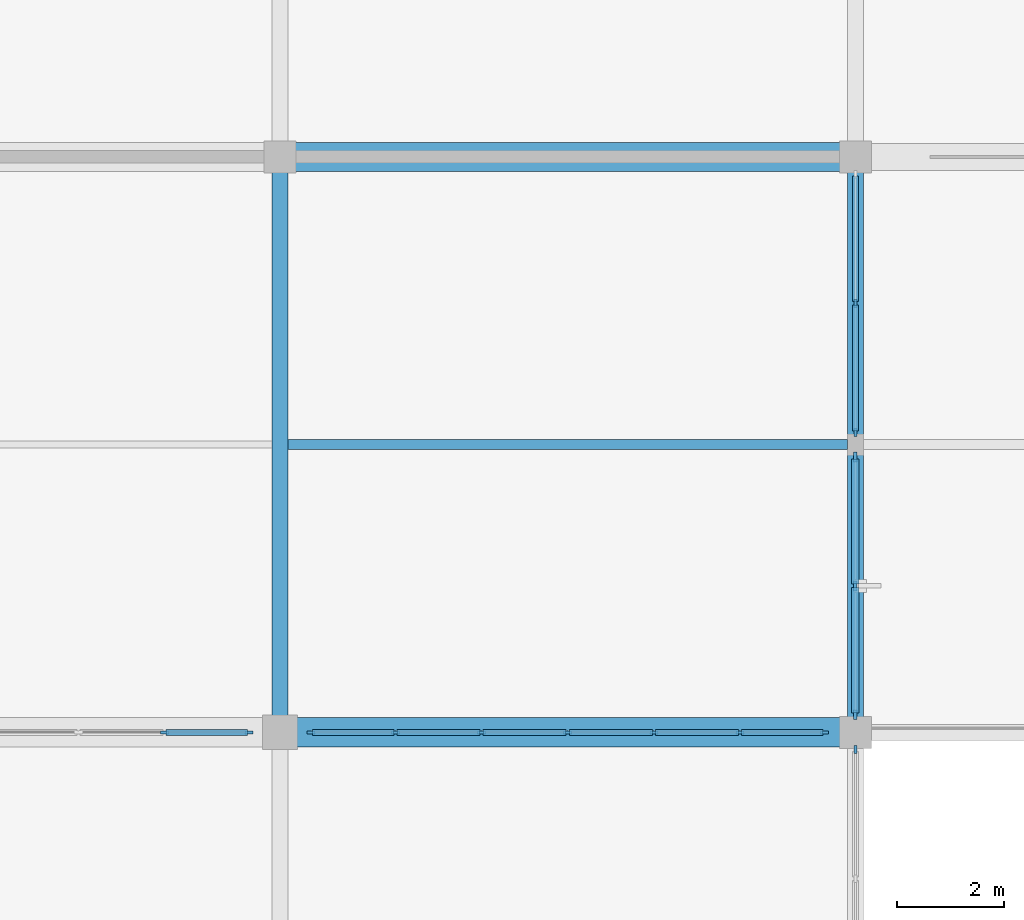
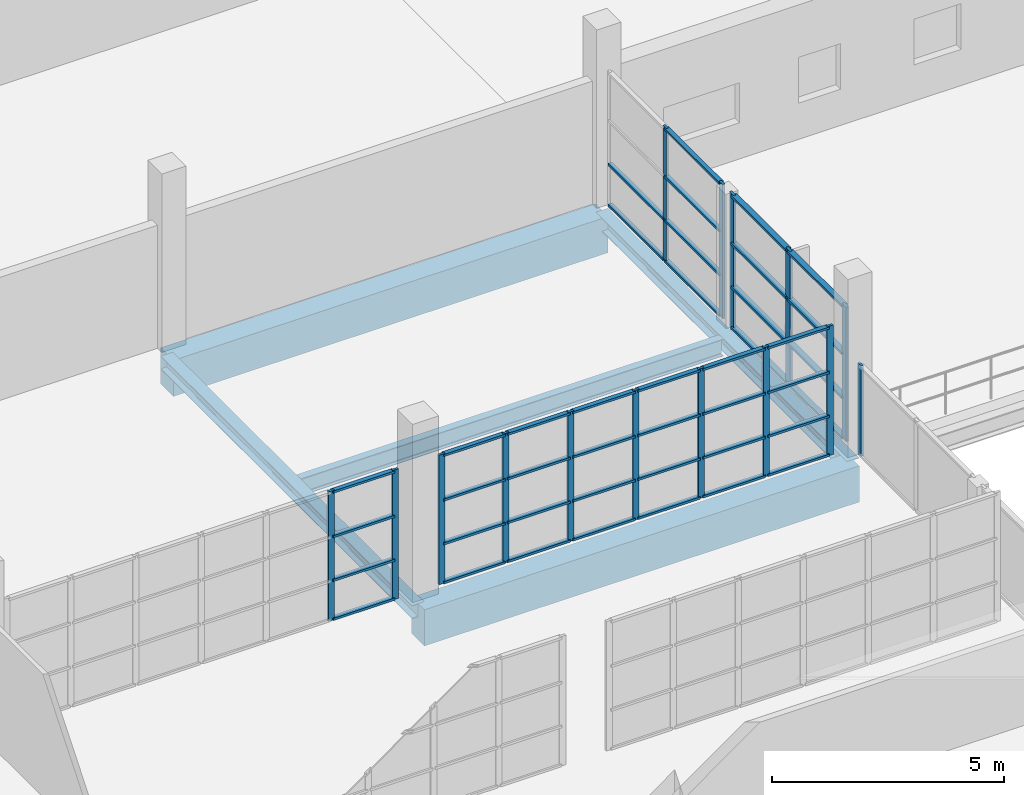
# One storey, part 75 of 142: 57 members, 5 beams, 5 elements without a shape of their own.
"""IFC4 building model written with IfcOpenShell, lengths in metres."""

from ifc_helpers import new_model, si_unit, direction, frame, origin, origin_2d, place, context, subcontext, project, spatial, rectangle, i_section, extrude, material, material_profile, profile_set, type_object, element, aggregate, save


model = new_model("IFC4")

# Units and contexts
model_context = context("Model", 3, precision=1e-05, world=origin(), true_north=direction((0.0, 1.0)))
body_context = subcontext(model_context, "Body", "Model", "MODEL_VIEW")
ifc_project = project(units=[si_unit("LENGTHUNIT", "METRE"), si_unit("AREAUNIT", "SQUARE_METRE"), si_unit("VOLUMEUNIT", "CUBIC_METRE"), si_unit("PLANEANGLEUNIT", "RADIAN"), si_unit("MASSUNIT", "GRAM", prefix="KILO")], contexts=[model_context])

# Site, building, storey
site_placement = place(None, origin())
site = spatial("IfcSite", under=ifc_project, at=site_placement, CompositionType="ELEMENT")
building_placement = place(site_placement, origin())
building = spatial("IfcBuilding", under=site, at=building_placement, Name="Zwinboog Wholesale Market", CompositionType="ELEMENT")
storey_placement = place(building_placement, frame((0.0, 0.0, 5.39990234375)))
storey = spatial("IfcBuildingStorey", under=building, at=storey_placement, Name="L01", CompositionType="ELEMENT", Elevation=5.39990234375)

# Beams
ifc_material_1 = material(Name="Precast concrete C45/55", Category="concrete")
ifc_material_profile_1 = material_profile(ifc_material_1, rectangle(XDim=0.550048828125, YDim=0.949951171875, at=origin_2d()), Name="PC 550x950")
ifc_profile_set_1 = profile_set([ifc_material_profile_1], Name="Precast concrete C45/55")
beam_type_1 = type_object("IfcBeamType", Name="BT-02", PredefinedType="BEAM", material=ifc_profile_set_1)
for number, where, z_axis, x_axis, name in (
    (1, (162.0, 97.199951171875, -0.806884765625), (1.0, 0.0, 0.0), (0.0, 1.0, 0.0), "BG-02 (BMG-L01-1620-0972-0540)"),
    (2, (162.0, 108.0, -0.806884765625), (1.0, 0.0, 0.0), (0.0, 1.0, 0.0), "BG-02 (BMG-L01-1620-1080-0556)"),
):
    element("IfcBeam", number, at=place(storey_placement, frame(where, z_axis=z_axis, x_axis=x_axis)), inside=storey, type_object=beam_type_1, Name=name, PredefinedType="BEAM", context=body_context, shape_type="SweptSolid", body=[
        extrude(rectangle(XDim=0.550048828125, YDim=0.949951171875, at=origin_2d()), origin(), (0.0, 0.0, 1.0), 10.800048828125),
    ])
ifc_material_2 = material(Name="Steel S355", Category="steel")
ifc_material_profile_2 = material_profile(ifc_material_2, i_section(OverallWidth=0.300048828125, OverallDepth=0.35009765625, WebThickness=0.010009765625, FlangeThickness=0.017578125, FilletRadius=0.027099609375, at=origin_2d()), Name="HEA 360")
ifc_profile_set_2 = profile_set([ifc_material_profile_2], Name="Steel S355")
beam_type_2 = type_object("IfcBeamType", Name="BT-17", PredefinedType="BEAM", material=ifc_profile_set_2)
for number, where, z_axis, x_axis, name in (
    (3, (162.0, 97.199951171875, -0.5068359375), (0.0, 1.0, 0.0), (-1.0, 0.0, 0.0), "SB-04 (BMG-L01-1620-0972-0742)"),
    (4, (172.800048828125, 97.199951171875, -0.5068359375), (0.0, 1.0, 0.0), (-1.0, 0.0, 0.0), "SB-04 (BMG-L01-1728-0972-0754)"),
):
    element("IfcBeam", number, at=place(storey_placement, frame(where, z_axis=z_axis, x_axis=x_axis)), inside=storey, type_object=beam_type_2, Name=name, PredefinedType="BEAM", context=body_context, shape_type="SweptSolid", body=[
        extrude(i_section(OverallWidth=0.300048828125, OverallDepth=0.35009765625, WebThickness=0.010009765625, FlangeThickness=0.017578125, FilletRadius=0.027099609375, at=origin_2d()), origin(), (0.0, 0.0, 1.0), 10.800048828125),
    ])
ifc_material_profile_3 = material_profile(ifc_material_2, i_section(OverallWidth=0.18994140625, OverallDepth=0.449951171875, WebThickness=0.009521484375, FlangeThickness=0.0146484375, FilletRadius=0.02099609375, at=origin_2d()), Name="IPE 450")
ifc_profile_set_3 = profile_set([ifc_material_profile_3], Name="Steel S355")
beam_type_3 = type_object("IfcBeamType", Name="BT-19", PredefinedType="JOIST", material=ifc_profile_set_3)
beam_placement = place(storey_placement, frame((162.14990234375, 102.60009765625, -0.556884765625), z_axis=(1.0, 0.0, 0.0), x_axis=(0.0, 1.0, 0.0)))
element("IfcBeam", 5, at=beam_placement, inside=storey, type_object=beam_type_3, Name="SJ-02 (BMG-L01-1622-1026-0855)", PredefinedType="JOIST", context=body_context, shape_type="SweptSolid", body=[
    extrude(i_section(OverallWidth=0.18994140625, OverallDepth=0.449951171875, WebThickness=0.009521484375, FlangeThickness=0.0146484375, FilletRadius=0.02099609375, at=origin_2d()), origin(), (0.0, 0.0, 1.0), 10.5),
])

# Curtain wall, members
ifc_material_3 = material(Name="Aluminium thermally broken curtain wall", Category="aluminium")
curtain_wall_type_1 = type_object("IfcCurtainWallType", Name="CWT-HALL-24", PredefinedType="USERDEFINED", material=ifc_material_3)
curtain_wall_1_placement = place(storey_placement, origin())
curtain_wall_1 = element("IfcCurtainWall", 6, at=curtain_wall_1_placement, inside=storey, type_object=curtain_wall_type_1, Name="CW-03 (CW-L01-141)", ObjectType="UNITIZED_CURTAIN_WALL", PredefinedType="USERDEFINED")
ifc_material_4 = material(Name="Aluminium EN AW-6060", Category="aluminium")
ifc_material_profile_4 = material_profile(ifc_material_4, rectangle(XDim=0.06494140625, YDim=0.179931640625, at=origin_2d()), Name="AL 65x180")
ifc_profile_set_4 = profile_set([ifc_material_profile_4], Name="Aluminium EN AW-6060")
member_type_1 = type_object("IfcMemberType", Name="CWM-65x180", PredefinedType="MULLION", material=ifc_profile_set_4)
member_1_placement = place(storey_placement, frame((172.800048828125, 97.527587890625, 0.0), z_axis=(0.0, 0.0, 1.0), x_axis=(-1.0, 0.0, 0.0)))
member_1 = element("IfcMember", 7, at=member_1_placement, type_object=member_type_1, Name="CW-03 mullion 1", PredefinedType="MULLION", context=body_context, shape_type="SweptSolid", body=[
    extrude(rectangle(XDim=0.06494140625, YDim=0.179931640625, at=origin_2d()), origin(), (0.0, 0.0, 1.0), 3.530029296875),
])
member_2_placement = place(storey_placement, frame((172.800048828125, 99.947509765625, 0.0), z_axis=(0.0, 0.0, 1.0), x_axis=(-1.0, 0.0, 0.0)))
member_2 = element("IfcMember", 8, at=member_2_placement, type_object=member_type_1, Name="CW-03 mullion 2", PredefinedType="MULLION", context=body_context, shape_type="SweptSolid", body=[
    extrude(rectangle(XDim=0.06494140625, YDim=0.179931640625, at=origin_2d()), origin(), (0.0, 0.0, 1.0), 3.530029296875),
])
member_3_placement = place(storey_placement, frame((172.800048828125, 102.367431640625, 0.0), z_axis=(0.0, 0.0, 1.0), x_axis=(-1.0, 0.0, 0.0)))
member_3 = element("IfcMember", 9, at=member_3_placement, type_object=member_type_1, Name="CW-03 mullion 3", PredefinedType="MULLION", context=body_context, shape_type="SweptSolid", body=[
    extrude(rectangle(XDim=0.06494140625, YDim=0.179931640625, at=origin_2d()), origin(), (0.0, 0.0, 1.0), 3.530029296875),
])

# Curtain wall, member
curtain_wall_type_2 = type_object("IfcCurtainWallType", Name="CWT-STALL-20", PredefinedType="USERDEFINED", material=ifc_material_3)
curtain_wall_2_placement = place(storey_placement, origin())
curtain_wall_2 = element("IfcCurtainWall", 10, at=curtain_wall_2_placement, inside=storey, type_object=curtain_wall_type_2, Name="CW-02 (CW-L01-140)", ObjectType="STOREFRONT_GLAZING", PredefinedType="USERDEFINED")
ifc_material_profile_5 = material_profile(ifc_material_4, rectangle(XDim=0.06005859375, YDim=0.14990234375, at=origin_2d()), Name="AL 60x150")
ifc_profile_set_5 = profile_set([ifc_material_profile_5], Name="Aluminium EN AW-6060")
member_type_2 = type_object("IfcMemberType", Name="CWM-60x150", PredefinedType="MULLION", material=ifc_profile_set_5)
member_4_placement = place(storey_placement, frame((172.800048828125, 96.875, 0.0), z_axis=(0.0, 0.0, 1.0), x_axis=(-1.0, 0.0, 0.0)))
member_4 = element("IfcMember", 11, at=member_4_placement, type_object=member_type_2, Name="CW-02 mullion 3", PredefinedType="MULLION", context=body_context, shape_type="SweptSolid", body=[
    extrude(rectangle(XDim=0.06005859375, YDim=0.14990234375, at=origin_2d()), origin(), (0.0, 0.0, 1.0), 2.380126953125),
])
aggregate(curtain_wall_2, [member_4])

# Curtain wall, members
curtain_wall_type_3 = type_object("IfcCurtainWallType", Name="CWT-GAL-16", PredefinedType="USERDEFINED", material=ifc_material_3)
curtain_wall_3_placement = place(storey_placement, origin())
curtain_wall_3 = element("IfcCurtainWall", 12, at=curtain_wall_3_placement, inside=storey, type_object=curtain_wall_type_3, Name="CW-04 (CW-L01-142)", ObjectType="UNITIZED_CURTAIN_WALL", PredefinedType="USERDEFINED")
member_5_placement = place(storey_placement, frame((172.800048828125, 102.830078125, 0.0), z_axis=(0.0, 0.0, 1.0), x_axis=(-1.0, 0.0, 0.0)))
member_5 = element("IfcMember", 13, at=member_5_placement, type_object=member_type_2, Name="CW-04 mullion 1", PredefinedType="MULLION", context=body_context, shape_type="SweptSolid", body=[
    extrude(rectangle(XDim=0.06005859375, YDim=0.14990234375, at=origin_2d()), origin(), (0.0, 0.0, 1.0), 3.530029296875),
])
member_6_placement = place(storey_placement, frame((172.800048828125, 105.25244140625, 0.0), z_axis=(0.0, 0.0, 1.0), x_axis=(-1.0, 0.0, 0.0)))
member_6 = element("IfcMember", 14, at=member_6_placement, type_object=member_type_2, Name="CW-04 mullion 2", PredefinedType="MULLION", context=body_context, shape_type="SweptSolid", body=[
    extrude(rectangle(XDim=0.06005859375, YDim=0.14990234375, at=origin_2d()), origin(), (0.0, 0.0, 1.0), 3.530029296875),
])

# Member
ifc_material_profile_6 = material_profile(ifc_material_4, rectangle(XDim=0.139892578125, YDim=0.06494140625, at=origin_2d()), Name="AL 65x140")
ifc_profile_set_6 = profile_set([ifc_material_profile_6], Name="Aluminium EN AW-6060")
member_type_3 = type_object("IfcMemberType", Name="CWT-65x140", PredefinedType="USERDEFINED", material=ifc_profile_set_6)
member_7_placement = place(storey_placement, frame((172.800048828125, 97.56005859375, 0.03271484375), z_axis=(0.0, 1.0, 0.0), x_axis=(-1.0, 0.0, 0.0)))
member_7 = element("IfcMember", 15, at=member_7_placement, type_object=member_type_3, Name="CW-03 transom 1.1", ObjectType="TRANSOM", PredefinedType="USERDEFINED", context=body_context, shape_type="SweptSolid", body=[
    extrude(rectangle(XDim=0.139892578125, YDim=0.06494140625, at=origin_2d()), origin(), (0.0, 0.0, 1.0), 2.35498046875),
])

member_8_placement = place(storey_placement, frame((172.800048828125, 97.56005859375, 1.10009765625), z_axis=(0.0, 1.0, 0.0), x_axis=(-1.0, 0.0, 0.0)))
member_8 = element("IfcMember", 16, at=member_8_placement, type_object=member_type_3, Name="CW-03 transom 1.2", ObjectType="TRANSOM", PredefinedType="USERDEFINED", context=body_context, shape_type="SweptSolid", body=[
    extrude(rectangle(XDim=0.139892578125, YDim=0.06494140625, at=origin_2d()), origin(), (0.0, 0.0, 1.0), 2.35498046875),
])

member_9_placement = place(storey_placement, frame((172.800048828125, 97.56005859375, 2.25), z_axis=(0.0, 1.0, 0.0), x_axis=(-1.0, 0.0, 0.0)))
member_9 = element("IfcMember", 17, at=member_9_placement, type_object=member_type_3, Name="CW-03 transom 1.3", ObjectType="TRANSOM", PredefinedType="USERDEFINED", context=body_context, shape_type="SweptSolid", body=[
    extrude(rectangle(XDim=0.139892578125, YDim=0.06494140625, at=origin_2d()), origin(), (0.0, 0.0, 1.0), 2.35498046875),
])

member_10_placement = place(storey_placement, frame((172.800048828125, 97.56005859375, 3.49755859375), z_axis=(0.0, 1.0, 0.0), x_axis=(-1.0, 0.0, 0.0)))
member_10 = element("IfcMember", 18, at=member_10_placement, type_object=member_type_3, Name="CW-03 transom 1.4", ObjectType="TRANSOM", PredefinedType="USERDEFINED", context=body_context, shape_type="SweptSolid", body=[
    extrude(rectangle(XDim=0.139892578125, YDim=0.06494140625, at=origin_2d()), origin(), (0.0, 0.0, 1.0), 2.35498046875),
])

member_11_placement = place(storey_placement, frame((172.800048828125, 99.97998046875, 0.03271484375), z_axis=(0.0, 1.0, 0.0), x_axis=(-1.0, 0.0, 0.0)))
member_11 = element("IfcMember", 19, at=member_11_placement, type_object=member_type_3, Name="CW-03 transom 2.1", ObjectType="TRANSOM", PredefinedType="USERDEFINED", context=body_context, shape_type="SweptSolid", body=[
    extrude(rectangle(XDim=0.139892578125, YDim=0.06494140625, at=origin_2d()), origin(), (0.0, 0.0, 1.0), 2.35498046875),
])

member_12_placement = place(storey_placement, frame((172.800048828125, 99.97998046875, 1.10009765625), z_axis=(0.0, 1.0, 0.0), x_axis=(-1.0, 0.0, 0.0)))
member_12 = element("IfcMember", 20, at=member_12_placement, type_object=member_type_3, Name="CW-03 transom 2.2", ObjectType="TRANSOM", PredefinedType="USERDEFINED", context=body_context, shape_type="SweptSolid", body=[
    extrude(rectangle(XDim=0.139892578125, YDim=0.06494140625, at=origin_2d()), origin(), (0.0, 0.0, 1.0), 2.35498046875),
])

member_13_placement = place(storey_placement, frame((172.800048828125, 99.97998046875, 2.25), z_axis=(0.0, 1.0, 0.0), x_axis=(-1.0, 0.0, 0.0)))
member_13 = element("IfcMember", 21, at=member_13_placement, type_object=member_type_3, Name="CW-03 transom 2.3", ObjectType="TRANSOM", PredefinedType="USERDEFINED", context=body_context, shape_type="SweptSolid", body=[
    extrude(rectangle(XDim=0.139892578125, YDim=0.06494140625, at=origin_2d()), origin(), (0.0, 0.0, 1.0), 2.35498046875),
])

member_14_placement = place(storey_placement, frame((172.800048828125, 99.97998046875, 3.49755859375), z_axis=(0.0, 1.0, 0.0), x_axis=(-1.0, 0.0, 0.0)))
member_14 = element("IfcMember", 22, at=member_14_placement, type_object=member_type_3, Name="CW-03 transom 2.4", ObjectType="TRANSOM", PredefinedType="USERDEFINED", context=body_context, shape_type="SweptSolid", body=[
    extrude(rectangle(XDim=0.139892578125, YDim=0.06494140625, at=origin_2d()), origin(), (0.0, 0.0, 1.0), 2.35498046875),
])

aggregate(curtain_wall_1, [member_1, member_2, member_3, member_7, member_8, member_9, member_10, member_11, member_12, member_13, member_14])

ifc_material_profile_7 = material_profile(ifc_material_4, rectangle(XDim=0.110107421875, YDim=0.06005859375, at=origin_2d()), Name="AL 60x110")
ifc_profile_set_7 = profile_set([ifc_material_profile_7], Name="Aluminium EN AW-6060")
member_type_4 = type_object("IfcMemberType", Name="CWT-60x110", PredefinedType="USERDEFINED", material=ifc_profile_set_7)
member_15_placement = place(storey_placement, frame((172.800048828125, 102.860107421875, 0.030029296875), z_axis=(0.0, 1.0, 0.0), x_axis=(-1.0, 0.0, 0.0)))
member_15 = element("IfcMember", 23, at=member_15_placement, type_object=member_type_4, Name="CW-04 transom 1.1", ObjectType="TRANSOM", PredefinedType="USERDEFINED", context=body_context, shape_type="SweptSolid", body=[
    extrude(rectangle(XDim=0.110107421875, YDim=0.06005859375, at=origin_2d()), origin(), (0.0, 0.0, 1.0), 2.3623046875),
])

member_16_placement = place(storey_placement, frame((172.800048828125, 102.860107421875, 1.10009765625), z_axis=(0.0, 1.0, 0.0), x_axis=(-1.0, 0.0, 0.0)))
member_16 = element("IfcMember", 24, at=member_16_placement, type_object=member_type_4, Name="CW-04 transom 1.2", ObjectType="TRANSOM", PredefinedType="USERDEFINED", context=body_context, shape_type="SweptSolid", body=[
    extrude(rectangle(XDim=0.110107421875, YDim=0.06005859375, at=origin_2d()), origin(), (0.0, 0.0, 1.0), 2.3623046875),
])

member_17_placement = place(storey_placement, frame((172.800048828125, 102.860107421875, 2.25), z_axis=(0.0, 1.0, 0.0), x_axis=(-1.0, 0.0, 0.0)))
member_17 = element("IfcMember", 25, at=member_17_placement, type_object=member_type_4, Name="CW-04 transom 1.3", ObjectType="TRANSOM", PredefinedType="USERDEFINED", context=body_context, shape_type="SweptSolid", body=[
    extrude(rectangle(XDim=0.110107421875, YDim=0.06005859375, at=origin_2d()), origin(), (0.0, 0.0, 1.0), 2.3623046875),
])

member_18_placement = place(storey_placement, frame((172.800048828125, 102.860107421875, 3.5), z_axis=(0.0, 1.0, 0.0), x_axis=(-1.0, 0.0, 0.0)))
member_18 = element("IfcMember", 26, at=member_18_placement, type_object=member_type_4, Name="CW-04 transom 1.4", ObjectType="TRANSOM", PredefinedType="USERDEFINED", context=body_context, shape_type="SweptSolid", body=[
    extrude(rectangle(XDim=0.110107421875, YDim=0.06005859375, at=origin_2d()), origin(), (0.0, 0.0, 1.0), 2.3623046875),
])

member_19_placement = place(storey_placement, frame((172.800048828125, 105.282470703125, 0.030029296875), z_axis=(0.0, 1.0, 0.0), x_axis=(-1.0, 0.0, 0.0)))
member_19 = element("IfcMember", 27, at=member_19_placement, type_object=member_type_4, Name="CW-04 transom 2.1", ObjectType="TRANSOM", PredefinedType="USERDEFINED", context=body_context, shape_type="SweptSolid", body=[
    extrude(rectangle(XDim=0.110107421875, YDim=0.06005859375, at=origin_2d()), origin(), (0.0, 0.0, 1.0), 2.362548828125),
])

member_20_placement = place(storey_placement, frame((172.800048828125, 105.282470703125, 1.10009765625), z_axis=(0.0, 1.0, 0.0), x_axis=(-1.0, 0.0, 0.0)))
member_20 = element("IfcMember", 28, at=member_20_placement, type_object=member_type_4, Name="CW-04 transom 2.2", ObjectType="TRANSOM", PredefinedType="USERDEFINED", context=body_context, shape_type="SweptSolid", body=[
    extrude(rectangle(XDim=0.110107421875, YDim=0.06005859375, at=origin_2d()), origin(), (0.0, 0.0, 1.0), 2.362548828125),
])

aggregate(curtain_wall_3, [member_5, member_6, member_15, member_16, member_17, member_18, member_19, member_20])

# Curtain wall, members
curtain_wall_type_4 = type_object("IfcCurtainWallType", Name="CWT-INT-STALL", PredefinedType="USERDEFINED", material=ifc_material_3)
curtain_wall_4_placement = place(storey_placement, origin())
curtain_wall_4 = element("IfcCurtainWall", 29, at=curtain_wall_4_placement, inside=storey, type_object=curtain_wall_type_4, Name="CW-07 (CW-STL-253)", ObjectType="STOREFRONT_GLAZING", PredefinedType="USERDEFINED")
ifc_material_profile_8 = material_profile(ifc_material_4, rectangle(XDim=0.06005859375, YDim=0.14990234375, at=origin_2d()), Name="AL 60x150")
ifc_profile_set_8 = profile_set([ifc_material_profile_8], Name="Aluminium EN AW-6060")
member_type_5 = type_object("IfcMemberType", Name="CWM-INT-60x120", PredefinedType="MULLION", material=ifc_profile_set_8)
member_21_placement = place(storey_placement, frame((159.833251953125, 97.199951171875, 0.0), z_axis=(0.0, 0.0, 1.0), x_axis=(0.0, 1.0, 0.0)))
member_21 = element("IfcMember", 30, at=member_21_placement, type_object=member_type_5, Name="CW-07 mullion 6", PredefinedType="MULLION", context=body_context, shape_type="SweptSolid", body=[
    extrude(rectangle(XDim=0.06005859375, YDim=0.14990234375, at=origin_2d()), origin(), (0.0, 0.0, 1.0), 3.400146484375),
])
member_22_placement = place(storey_placement, frame((161.419921875, 97.199951171875, 0.0), z_axis=(0.0, 0.0, 1.0), x_axis=(0.0, 1.0, 0.0)))
member_22 = element("IfcMember", 31, at=member_22_placement, type_object=member_type_5, Name="CW-07 mullion 7", PredefinedType="MULLION", context=body_context, shape_type="SweptSolid", body=[
    extrude(rectangle(XDim=0.06005859375, YDim=0.14990234375, at=origin_2d()), origin(), (0.0, 0.0, 1.0), 3.400146484375),
])

curtain_wall_5_placement = place(storey_placement, origin())
curtain_wall_5 = element("IfcCurtainWall", 32, at=curtain_wall_5_placement, inside=storey, type_object=curtain_wall_type_4, Name="CW-07 (CW-STL-254)", ObjectType="STOREFRONT_GLAZING", PredefinedType="USERDEFINED")
member_23_placement = place(storey_placement, frame((162.580078125, 97.199951171875, 0.0), z_axis=(0.0, 0.0, 1.0), x_axis=(0.0, 1.0, 0.0)))
member_23 = element("IfcMember", 33, at=member_23_placement, type_object=member_type_5, Name="CW-07 mullion 1", PredefinedType="MULLION", context=body_context, shape_type="SweptSolid", body=[
    extrude(rectangle(XDim=0.06005859375, YDim=0.14990234375, at=origin_2d()), origin(), (0.0, 0.0, 1.0), 3.400146484375),
])
member_24_placement = place(storey_placement, frame((164.166748046875, 97.199951171875, 0.0), z_axis=(0.0, 0.0, 1.0), x_axis=(0.0, 1.0, 0.0)))
member_24 = element("IfcMember", 34, at=member_24_placement, type_object=member_type_5, Name="CW-07 mullion 2", PredefinedType="MULLION", context=body_context, shape_type="SweptSolid", body=[
    extrude(rectangle(XDim=0.06005859375, YDim=0.14990234375, at=origin_2d()), origin(), (0.0, 0.0, 1.0), 3.400146484375),
])
member_25_placement = place(storey_placement, frame((165.783447265625, 97.199951171875, 0.0), z_axis=(0.0, 0.0, 1.0), x_axis=(0.0, 1.0, 0.0)))
member_25 = element("IfcMember", 35, at=member_25_placement, type_object=member_type_5, Name="CW-07 mullion 3", PredefinedType="MULLION", context=body_context, shape_type="SweptSolid", body=[
    extrude(rectangle(XDim=0.06005859375, YDim=0.14990234375, at=origin_2d()), origin(), (0.0, 0.0, 1.0), 3.400146484375),
])
member_26_placement = place(storey_placement, frame((167.39990234375, 97.199951171875, 0.0), z_axis=(0.0, 0.0, 1.0), x_axis=(0.0, 1.0, 0.0)))
member_26 = element("IfcMember", 36, at=member_26_placement, type_object=member_type_5, Name="CW-07 mullion 4", PredefinedType="MULLION", context=body_context, shape_type="SweptSolid", body=[
    extrude(rectangle(XDim=0.06005859375, YDim=0.14990234375, at=origin_2d()), origin(), (0.0, 0.0, 1.0), 3.400146484375),
])
member_27_placement = place(storey_placement, frame((169.0166015625, 97.199951171875, 0.0), z_axis=(0.0, 0.0, 1.0), x_axis=(0.0, 1.0, 0.0)))
member_27 = element("IfcMember", 37, at=member_27_placement, type_object=member_type_5, Name="CW-07 mullion 5", PredefinedType="MULLION", context=body_context, shape_type="SweptSolid", body=[
    extrude(rectangle(XDim=0.06005859375, YDim=0.14990234375, at=origin_2d()), origin(), (0.0, 0.0, 1.0), 3.400146484375),
])
member_28_placement = place(storey_placement, frame((170.63330078125, 97.199951171875, 0.0), z_axis=(0.0, 0.0, 1.0), x_axis=(0.0, 1.0, 0.0)))
member_28 = element("IfcMember", 38, at=member_28_placement, type_object=member_type_5, Name="CW-07 mullion 6", PredefinedType="MULLION", context=body_context, shape_type="SweptSolid", body=[
    extrude(rectangle(XDim=0.06005859375, YDim=0.14990234375, at=origin_2d()), origin(), (0.0, 0.0, 1.0), 3.400146484375),
])
member_29_placement = place(storey_placement, frame((172.219970703125, 97.199951171875, 0.0), z_axis=(0.0, 0.0, 1.0), x_axis=(0.0, 1.0, 0.0)))
member_29 = element("IfcMember", 39, at=member_29_placement, type_object=member_type_5, Name="CW-07 mullion 7", PredefinedType="MULLION", context=body_context, shape_type="SweptSolid", body=[
    extrude(rectangle(XDim=0.06005859375, YDim=0.14990234375, at=origin_2d()), origin(), (0.0, 0.0, 1.0), 3.400146484375),
])

# Member
ifc_material_profile_9 = material_profile(ifc_material_4, rectangle(XDim=0.110107421875, YDim=0.06005859375, at=origin_2d()), Name="AL 60x110")
ifc_profile_set_9 = profile_set([ifc_material_profile_9], Name="Aluminium EN AW-6060")
member_type_6 = type_object("IfcMemberType", Name="CWT-INT-60x100", PredefinedType="USERDEFINED", material=ifc_profile_set_9)
member_30_placement = place(storey_placement, frame((159.86328125, 97.199951171875, 0.030029296875), z_axis=(1.0, 0.0, 0.0), x_axis=(0.0, 1.0, 0.0)))
member_30 = element("IfcMember", 40, at=member_30_placement, type_object=member_type_6, Name="CW-07 transom 6.1", ObjectType="TRANSOM", PredefinedType="USERDEFINED", context=body_context, shape_type="SweptSolid", body=[
    extrude(rectangle(XDim=0.110107421875, YDim=0.06005859375, at=origin_2d()), origin(), (0.0, 0.0, 1.0), 1.526611328125),
])

member_31_placement = place(storey_placement, frame((159.86328125, 97.199951171875, 1.050048828125), z_axis=(1.0, 0.0, 0.0), x_axis=(0.0, 1.0, 0.0)))
member_31 = element("IfcMember", 41, at=member_31_placement, type_object=member_type_6, Name="CW-07 transom 6.2", ObjectType="TRANSOM", PredefinedType="USERDEFINED", context=body_context, shape_type="SweptSolid", body=[
    extrude(rectangle(XDim=0.110107421875, YDim=0.06005859375, at=origin_2d()), origin(), (0.0, 0.0, 1.0), 1.526611328125),
])

member_32_placement = place(storey_placement, frame((159.86328125, 97.199951171875, 2.2001953125), z_axis=(1.0, 0.0, 0.0), x_axis=(0.0, 1.0, 0.0)))
member_32 = element("IfcMember", 42, at=member_32_placement, type_object=member_type_6, Name="CW-07 transom 6.3", ObjectType="TRANSOM", PredefinedType="USERDEFINED", context=body_context, shape_type="SweptSolid", body=[
    extrude(rectangle(XDim=0.110107421875, YDim=0.06005859375, at=origin_2d()), origin(), (0.0, 0.0, 1.0), 1.526611328125),
])

member_33_placement = place(storey_placement, frame((159.86328125, 97.199951171875, 3.3701171875), z_axis=(1.0, 0.0, 0.0), x_axis=(0.0, 1.0, 0.0)))
member_33 = element("IfcMember", 43, at=member_33_placement, type_object=member_type_6, Name="CW-07 transom 6.4", ObjectType="TRANSOM", PredefinedType="USERDEFINED", context=body_context, shape_type="SweptSolid", body=[
    extrude(rectangle(XDim=0.110107421875, YDim=0.06005859375, at=origin_2d()), origin(), (0.0, 0.0, 1.0), 1.526611328125),
])

aggregate(curtain_wall_4, [member_21, member_22, member_30, member_31, member_32, member_33])

member_34_placement = place(storey_placement, frame((162.610107421875, 97.199951171875, 0.030029296875), z_axis=(1.0, 0.0, 0.0), x_axis=(0.0, 1.0, 0.0)))
member_34 = element("IfcMember", 44, at=member_34_placement, type_object=member_type_6, Name="CW-07 transom 1.1", ObjectType="TRANSOM", PredefinedType="USERDEFINED", context=body_context, shape_type="SweptSolid", body=[
    extrude(rectangle(XDim=0.110107421875, YDim=0.06005859375, at=origin_2d()), origin(), (0.0, 0.0, 1.0), 1.526611328125),
])

member_35_placement = place(storey_placement, frame((162.610107421875, 97.199951171875, 1.050048828125), z_axis=(1.0, 0.0, 0.0), x_axis=(0.0, 1.0, 0.0)))
member_35 = element("IfcMember", 45, at=member_35_placement, type_object=member_type_6, Name="CW-07 transom 1.2", ObjectType="TRANSOM", PredefinedType="USERDEFINED", context=body_context, shape_type="SweptSolid", body=[
    extrude(rectangle(XDim=0.110107421875, YDim=0.06005859375, at=origin_2d()), origin(), (0.0, 0.0, 1.0), 1.526611328125),
])

member_36_placement = place(storey_placement, frame((162.610107421875, 97.199951171875, 2.2001953125), z_axis=(1.0, 0.0, 0.0), x_axis=(0.0, 1.0, 0.0)))
member_36 = element("IfcMember", 46, at=member_36_placement, type_object=member_type_6, Name="CW-07 transom 1.3", ObjectType="TRANSOM", PredefinedType="USERDEFINED", context=body_context, shape_type="SweptSolid", body=[
    extrude(rectangle(XDim=0.110107421875, YDim=0.06005859375, at=origin_2d()), origin(), (0.0, 0.0, 1.0), 1.526611328125),
])

member_37_placement = place(storey_placement, frame((162.610107421875, 97.199951171875, 3.3701171875), z_axis=(1.0, 0.0, 0.0), x_axis=(0.0, 1.0, 0.0)))
member_37 = element("IfcMember", 47, at=member_37_placement, type_object=member_type_6, Name="CW-07 transom 1.4", ObjectType="TRANSOM", PredefinedType="USERDEFINED", context=body_context, shape_type="SweptSolid", body=[
    extrude(rectangle(XDim=0.110107421875, YDim=0.06005859375, at=origin_2d()), origin(), (0.0, 0.0, 1.0), 1.526611328125),
])

member_38_placement = place(storey_placement, frame((164.19677734375, 97.199951171875, 0.030029296875), z_axis=(1.0, 0.0, 0.0), x_axis=(0.0, 1.0, 0.0)))
member_38 = element("IfcMember", 48, at=member_38_placement, type_object=member_type_6, Name="CW-07 transom 2.1", ObjectType="TRANSOM", PredefinedType="USERDEFINED", context=body_context, shape_type="SweptSolid", body=[
    extrude(rectangle(XDim=0.110107421875, YDim=0.06005859375, at=origin_2d()), origin(), (0.0, 0.0, 1.0), 1.556640625),
])

member_39_placement = place(storey_placement, frame((164.19677734375, 97.199951171875, 1.050048828125), z_axis=(1.0, 0.0, 0.0), x_axis=(0.0, 1.0, 0.0)))
member_39 = element("IfcMember", 49, at=member_39_placement, type_object=member_type_6, Name="CW-07 transom 2.2", ObjectType="TRANSOM", PredefinedType="USERDEFINED", context=body_context, shape_type="SweptSolid", body=[
    extrude(rectangle(XDim=0.110107421875, YDim=0.06005859375, at=origin_2d()), origin(), (0.0, 0.0, 1.0), 1.556640625),
])

member_40_placement = place(storey_placement, frame((164.19677734375, 97.199951171875, 2.2001953125), z_axis=(1.0, 0.0, 0.0), x_axis=(0.0, 1.0, 0.0)))
member_40 = element("IfcMember", 50, at=member_40_placement, type_object=member_type_6, Name="CW-07 transom 2.3", ObjectType="TRANSOM", PredefinedType="USERDEFINED", context=body_context, shape_type="SweptSolid", body=[
    extrude(rectangle(XDim=0.110107421875, YDim=0.06005859375, at=origin_2d()), origin(), (0.0, 0.0, 1.0), 1.556640625),
])

member_41_placement = place(storey_placement, frame((164.19677734375, 97.199951171875, 3.3701171875), z_axis=(1.0, 0.0, 0.0), x_axis=(0.0, 1.0, 0.0)))
member_41 = element("IfcMember", 51, at=member_41_placement, type_object=member_type_6, Name="CW-07 transom 2.4", ObjectType="TRANSOM", PredefinedType="USERDEFINED", context=body_context, shape_type="SweptSolid", body=[
    extrude(rectangle(XDim=0.110107421875, YDim=0.06005859375, at=origin_2d()), origin(), (0.0, 0.0, 1.0), 1.556640625),
])

member_42_placement = place(storey_placement, frame((165.813232421875, 97.199951171875, 0.030029296875), z_axis=(1.0, 0.0, 0.0), x_axis=(0.0, 1.0, 0.0)))
member_42 = element("IfcMember", 52, at=member_42_placement, type_object=member_type_6, Name="CW-07 transom 3.1", ObjectType="TRANSOM", PredefinedType="USERDEFINED", context=body_context, shape_type="SweptSolid", body=[
    extrude(rectangle(XDim=0.110107421875, YDim=0.06005859375, at=origin_2d()), origin(), (0.0, 0.0, 1.0), 1.556884765625),
])

member_43_placement = place(storey_placement, frame((165.813232421875, 97.199951171875, 1.050048828125), z_axis=(1.0, 0.0, 0.0), x_axis=(0.0, 1.0, 0.0)))
member_43 = element("IfcMember", 53, at=member_43_placement, type_object=member_type_6, Name="CW-07 transom 3.2", ObjectType="TRANSOM", PredefinedType="USERDEFINED", context=body_context, shape_type="SweptSolid", body=[
    extrude(rectangle(XDim=0.110107421875, YDim=0.06005859375, at=origin_2d()), origin(), (0.0, 0.0, 1.0), 1.556884765625),
])

member_44_placement = place(storey_placement, frame((165.813232421875, 97.199951171875, 2.2001953125), z_axis=(1.0, 0.0, 0.0), x_axis=(0.0, 1.0, 0.0)))
member_44 = element("IfcMember", 54, at=member_44_placement, type_object=member_type_6, Name="CW-07 transom 3.3", ObjectType="TRANSOM", PredefinedType="USERDEFINED", context=body_context, shape_type="SweptSolid", body=[
    extrude(rectangle(XDim=0.110107421875, YDim=0.06005859375, at=origin_2d()), origin(), (0.0, 0.0, 1.0), 1.556884765625),
])

member_45_placement = place(storey_placement, frame((165.813232421875, 97.199951171875, 3.3701171875), z_axis=(1.0, 0.0, 0.0), x_axis=(0.0, 1.0, 0.0)))
member_45 = element("IfcMember", 55, at=member_45_placement, type_object=member_type_6, Name="CW-07 transom 3.4", ObjectType="TRANSOM", PredefinedType="USERDEFINED", context=body_context, shape_type="SweptSolid", body=[
    extrude(rectangle(XDim=0.110107421875, YDim=0.06005859375, at=origin_2d()), origin(), (0.0, 0.0, 1.0), 1.556884765625),
])

member_46_placement = place(storey_placement, frame((167.429931640625, 97.199951171875, 0.030029296875), z_axis=(1.0, 0.0, 0.0), x_axis=(0.0, 1.0, 0.0)))
member_46 = element("IfcMember", 56, at=member_46_placement, type_object=member_type_6, Name="CW-07 transom 4.1", ObjectType="TRANSOM", PredefinedType="USERDEFINED", context=body_context, shape_type="SweptSolid", body=[
    extrude(rectangle(XDim=0.110107421875, YDim=0.06005859375, at=origin_2d()), origin(), (0.0, 0.0, 1.0), 1.556640625),
])

member_47_placement = place(storey_placement, frame((167.429931640625, 97.199951171875, 1.050048828125), z_axis=(1.0, 0.0, 0.0), x_axis=(0.0, 1.0, 0.0)))
member_47 = element("IfcMember", 57, at=member_47_placement, type_object=member_type_6, Name="CW-07 transom 4.2", ObjectType="TRANSOM", PredefinedType="USERDEFINED", context=body_context, shape_type="SweptSolid", body=[
    extrude(rectangle(XDim=0.110107421875, YDim=0.06005859375, at=origin_2d()), origin(), (0.0, 0.0, 1.0), 1.556640625),
])

member_48_placement = place(storey_placement, frame((167.429931640625, 97.199951171875, 2.2001953125), z_axis=(1.0, 0.0, 0.0), x_axis=(0.0, 1.0, 0.0)))
member_48 = element("IfcMember", 58, at=member_48_placement, type_object=member_type_6, Name="CW-07 transom 4.3", ObjectType="TRANSOM", PredefinedType="USERDEFINED", context=body_context, shape_type="SweptSolid", body=[
    extrude(rectangle(XDim=0.110107421875, YDim=0.06005859375, at=origin_2d()), origin(), (0.0, 0.0, 1.0), 1.556640625),
])

member_49_placement = place(storey_placement, frame((167.429931640625, 97.199951171875, 3.3701171875), z_axis=(1.0, 0.0, 0.0), x_axis=(0.0, 1.0, 0.0)))
member_49 = element("IfcMember", 59, at=member_49_placement, type_object=member_type_6, Name="CW-07 transom 4.4", ObjectType="TRANSOM", PredefinedType="USERDEFINED", context=body_context, shape_type="SweptSolid", body=[
    extrude(rectangle(XDim=0.110107421875, YDim=0.06005859375, at=origin_2d()), origin(), (0.0, 0.0, 1.0), 1.556640625),
])

member_50_placement = place(storey_placement, frame((169.046630859375, 97.199951171875, 0.030029296875), z_axis=(1.0, 0.0, 0.0), x_axis=(0.0, 1.0, 0.0)))
member_50 = element("IfcMember", 60, at=member_50_placement, type_object=member_type_6, Name="CW-07 transom 5.1", ObjectType="TRANSOM", PredefinedType="USERDEFINED", context=body_context, shape_type="SweptSolid", body=[
    extrude(rectangle(XDim=0.110107421875, YDim=0.06005859375, at=origin_2d()), origin(), (0.0, 0.0, 1.0), 1.556640625),
])

member_51_placement = place(storey_placement, frame((169.046630859375, 97.199951171875, 1.050048828125), z_axis=(1.0, 0.0, 0.0), x_axis=(0.0, 1.0, 0.0)))
member_51 = element("IfcMember", 61, at=member_51_placement, type_object=member_type_6, Name="CW-07 transom 5.2", ObjectType="TRANSOM", PredefinedType="USERDEFINED", context=body_context, shape_type="SweptSolid", body=[
    extrude(rectangle(XDim=0.110107421875, YDim=0.06005859375, at=origin_2d()), origin(), (0.0, 0.0, 1.0), 1.556640625),
])

member_52_placement = place(storey_placement, frame((169.046630859375, 97.199951171875, 2.2001953125), z_axis=(1.0, 0.0, 0.0), x_axis=(0.0, 1.0, 0.0)))
member_52 = element("IfcMember", 62, at=member_52_placement, type_object=member_type_6, Name="CW-07 transom 5.3", ObjectType="TRANSOM", PredefinedType="USERDEFINED", context=body_context, shape_type="SweptSolid", body=[
    extrude(rectangle(XDim=0.110107421875, YDim=0.06005859375, at=origin_2d()), origin(), (0.0, 0.0, 1.0), 1.556640625),
])

member_53_placement = place(storey_placement, frame((169.046630859375, 97.199951171875, 3.3701171875), z_axis=(1.0, 0.0, 0.0), x_axis=(0.0, 1.0, 0.0)))
member_53 = element("IfcMember", 63, at=member_53_placement, type_object=member_type_6, Name="CW-07 transom 5.4", ObjectType="TRANSOM", PredefinedType="USERDEFINED", context=body_context, shape_type="SweptSolid", body=[
    extrude(rectangle(XDim=0.110107421875, YDim=0.06005859375, at=origin_2d()), origin(), (0.0, 0.0, 1.0), 1.556640625),
])

member_54_placement = place(storey_placement, frame((170.663330078125, 97.199951171875, 0.030029296875), z_axis=(1.0, 0.0, 0.0), x_axis=(0.0, 1.0, 0.0)))
member_54 = element("IfcMember", 64, at=member_54_placement, type_object=member_type_6, Name="CW-07 transom 6.1", ObjectType="TRANSOM", PredefinedType="USERDEFINED", context=body_context, shape_type="SweptSolid", body=[
    extrude(rectangle(XDim=0.110107421875, YDim=0.06005859375, at=origin_2d()), origin(), (0.0, 0.0, 1.0), 1.526611328125),
])

member_55_placement = place(storey_placement, frame((170.663330078125, 97.199951171875, 1.050048828125), z_axis=(1.0, 0.0, 0.0), x_axis=(0.0, 1.0, 0.0)))
member_55 = element("IfcMember", 65, at=member_55_placement, type_object=member_type_6, Name="CW-07 transom 6.2", ObjectType="TRANSOM", PredefinedType="USERDEFINED", context=body_context, shape_type="SweptSolid", body=[
    extrude(rectangle(XDim=0.110107421875, YDim=0.06005859375, at=origin_2d()), origin(), (0.0, 0.0, 1.0), 1.526611328125),
])

member_56_placement = place(storey_placement, frame((170.663330078125, 97.199951171875, 2.2001953125), z_axis=(1.0, 0.0, 0.0), x_axis=(0.0, 1.0, 0.0)))
member_56 = element("IfcMember", 66, at=member_56_placement, type_object=member_type_6, Name="CW-07 transom 6.3", ObjectType="TRANSOM", PredefinedType="USERDEFINED", context=body_context, shape_type="SweptSolid", body=[
    extrude(rectangle(XDim=0.110107421875, YDim=0.06005859375, at=origin_2d()), origin(), (0.0, 0.0, 1.0), 1.526611328125),
])

member_57_placement = place(storey_placement, frame((170.663330078125, 97.199951171875, 3.3701171875), z_axis=(1.0, 0.0, 0.0), x_axis=(0.0, 1.0, 0.0)))
member_57 = element("IfcMember", 67, at=member_57_placement, type_object=member_type_6, Name="CW-07 transom 6.4", ObjectType="TRANSOM", PredefinedType="USERDEFINED", context=body_context, shape_type="SweptSolid", body=[
    extrude(rectangle(XDim=0.110107421875, YDim=0.06005859375, at=origin_2d()), origin(), (0.0, 0.0, 1.0), 1.526611328125),
])

aggregate(curtain_wall_5, [member_23, member_24, member_25, member_26, member_27, member_28, member_29, member_34, member_35, member_36, member_37, member_38, member_39, member_40, member_41, member_42, member_43, member_44, member_45, member_46, member_47, member_48, member_49, member_50, member_51, member_52, member_53, member_54, member_55, member_56, member_57])

save(model, "model.ifc")
